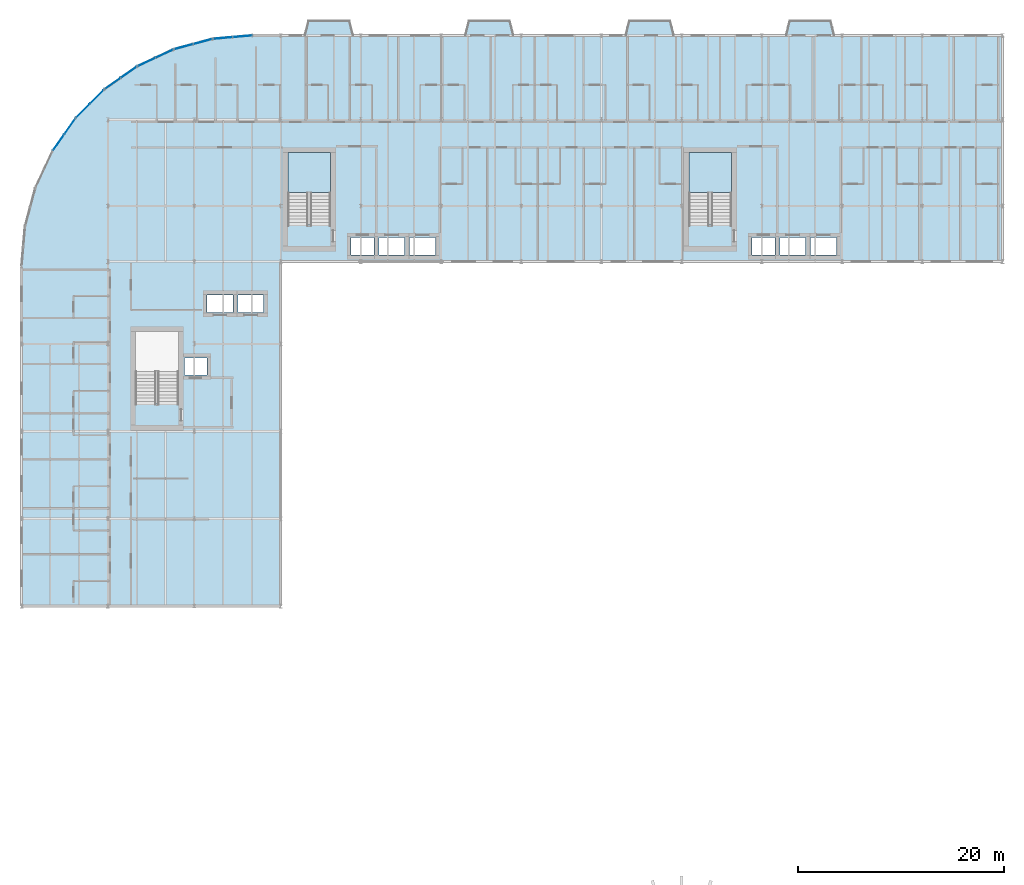
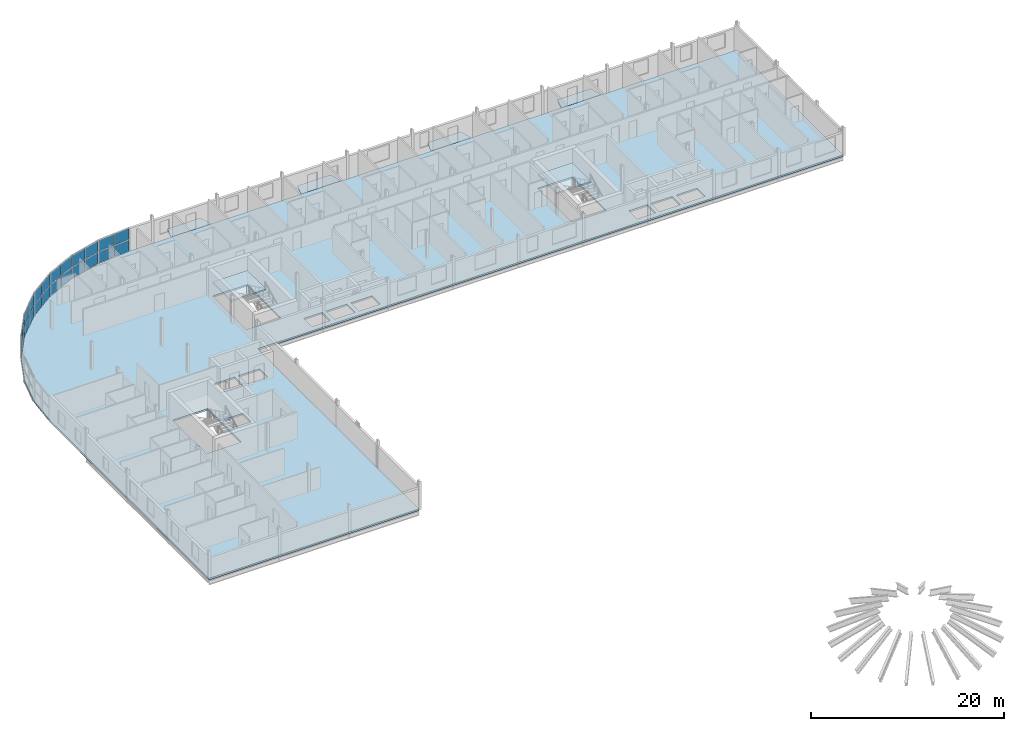
# One storey, part 11 of 25: 24 plates, 7 slabs, 8 elements without a shape of their own.
"""IFC4 building model written with IfcOpenShell, lengths in metres."""

from ifc_helpers import new_model, si_unit, direction, frame, origin, origin_2d, place, context, subcontext, project, spatial, polyline, rectangle, outline, extrude, material, layer, layer_set, type_object, element, aggregate, save


model = new_model("IFC4")

# Units and contexts
model_context = context("Model", 3, precision=1e-05, world=origin(), true_north=direction((0.0, 1.0)))
body_context = subcontext(model_context, "Body", "Model", "MODEL_VIEW")
ifc_project = project(units=[si_unit("LENGTHUNIT", "METRE"), si_unit("AREAUNIT", "SQUARE_METRE"), si_unit("VOLUMEUNIT", "CUBIC_METRE"), si_unit("PLANEANGLEUNIT", "RADIAN"), si_unit("MASSUNIT", "GRAM", prefix="KILO")], contexts=[model_context])

# Site, building, storey
site_placement = place(None, origin())
site = spatial("IfcSite", under=ifc_project, at=site_placement, CompositionType="ELEMENT")
building_placement = place(site_placement, origin())
building = spatial("IfcBuilding", under=site, at=building_placement, Name="Sefraquen Railside Congress Hotel", CompositionType="ELEMENT")
storey_placement = place(building_placement, frame((0.0, 0.0, 39.0)))
storey = spatial("IfcBuildingStorey", under=building, at=storey_placement, Name="L09", CompositionType="ELEMENT", Elevation=39.0)

# Curtain wall, plates
ifc_material_1 = material(Name="Thermally broken anodised aluminium and low-E double glazing", Category="aluminium")
ifc_layer_1 = layer(ifc_material_1, 0.199951171875)
ifc_layer_set_1 = layer_set([ifc_layer_1], Name="Thermally broken anodised aluminium and low-E double glazing")
curtain_wall_type_1 = type_object("IfcCurtainWallType", Name="TCW-UCW-18", PredefinedType="USERDEFINED", material=ifc_layer_set_1)
curtain_wall_1_placement = place(storey_placement, origin())
curtain_wall_1 = element("IfcCurtainWall", 1, at=curtain_wall_1_placement, inside=storey, type_object=curtain_wall_type_1, Name="Rotunda L09 curved curtain wall facet 1", ObjectType="UNITISED CURTAIN WALL", PredefinedType="USERDEFINED")
ifc_material_2 = material(Name="Solar-control low-E double glazing", Category="glass")
ifc_layer_2 = layer(ifc_material_2, 0.02392578125)
ifc_layer_set_2 = layer_set([ifc_layer_2], Name="Solar-control low-E double glazing")
plate_type_1 = type_object("IfcPlateType", Name="TP-CWP-01", PredefinedType="CURTAIN_PANEL", material=ifc_layer_set_2)
plate_1_placement = place(storey_placement, frame((21.50341796875, 117.912841796875, 0.0400390625), z_axis=(0.0, 0.0, 1.0), x_axis=(-0.996196219095, -0.087138355857, 0.0)))
plate_1 = element("IfcPlate", 2, at=plate_1_placement, type_object=plate_type_1, Name="CW-L09-ROT-01 panel 1.1", PredefinedType="CURTAIN_PANEL", context=body_context, shape_type="SweptSolid", body=[
    extrude(rectangle(XDim=1.8310546875, YDim=0.02392578125, at=origin_2d()), origin(), (0.0, 0.0, 1.0), 1.385009765625),
])
plate_2_placement = place(storey_placement, frame((19.589599609375, 117.745361328125, 0.0400390625), z_axis=(0.0, 0.0, 1.0), x_axis=(-0.996196219095, -0.087138355857, 0.0)))
plate_2 = element("IfcPlate", 3, at=plate_2_placement, type_object=plate_type_1, Name="CW-L09-ROT-01 panel 1.2", PredefinedType="CURTAIN_PANEL", context=body_context, shape_type="SweptSolid", body=[
    extrude(rectangle(XDim=1.8310546875, YDim=0.02392578125, at=origin_2d()), origin(), (0.0, 0.0, 1.0), 1.385009765625),
])

ifc_layer_3 = layer(ifc_material_1, 0.199951171875)
ifc_layer_set_3 = layer_set([ifc_layer_3], Name="Thermally broken anodised aluminium and low-E double glazing")
curtain_wall_type_2 = type_object("IfcCurtainWallType", Name="TCW-UCW-19", PredefinedType="USERDEFINED", material=ifc_layer_set_3)
curtain_wall_2_placement = place(storey_placement, origin())
curtain_wall_2 = element("IfcCurtainWall", 4, at=curtain_wall_2_placement, inside=storey, type_object=curtain_wall_type_2, Name="Rotunda L09 curved curtain wall facet 2", ObjectType="UNITISED CURTAIN WALL", PredefinedType="USERDEFINED")
plate_3_placement = place(storey_placement, frame((17.62646484375, 117.399169921875, 0.0400390625), z_axis=(0.0, 0.0, 1.0), x_axis=(-0.96593486019, -0.258785327773, 0.0)))
plate_3 = element("IfcPlate", 5, at=plate_3_placement, type_object=plate_type_1, Name="CW-L09-ROT-02 panel 1.1", PredefinedType="CURTAIN_PANEL", context=body_context, shape_type="SweptSolid", body=[
    extrude(rectangle(XDim=1.8310546875, YDim=0.02392578125, at=origin_2d()), origin(), (0.0, 0.0, 1.0), 1.385009765625),
])
plate_4_placement = place(storey_placement, frame((15.77099609375, 116.902099609375, 0.0400390625), z_axis=(0.0, 0.0, 1.0), x_axis=(-0.96593486019, -0.258785327773, 0.0)))
plate_4 = element("IfcPlate", 6, at=plate_4_placement, type_object=plate_type_1, Name="CW-L09-ROT-02 panel 1.2", PredefinedType="CURTAIN_PANEL", context=body_context, shape_type="SweptSolid", body=[
    extrude(rectangle(XDim=1.8310546875, YDim=0.02392578125, at=origin_2d()), origin(), (0.0, 0.0, 1.0), 1.385009765625),
])

ifc_layer_4 = layer(ifc_material_1, 0.199951171875)
ifc_layer_set_4 = layer_set([ifc_layer_4], Name="Thermally broken anodised aluminium and low-E double glazing")
curtain_wall_type_3 = type_object("IfcCurtainWallType", Name="TCW-UCW-20", PredefinedType="USERDEFINED", material=ifc_layer_set_4)
curtain_wall_3_placement = place(storey_placement, origin())
curtain_wall_3 = element("IfcCurtainWall", 7, at=curtain_wall_3_placement, inside=storey, type_object=curtain_wall_type_3, Name="Rotunda L09 curved curtain wall facet 3", ObjectType="UNITISED CURTAIN WALL", PredefinedType="USERDEFINED")
plate_5_placement = place(storey_placement, frame((13.897705078125, 116.22021484375, 0.0400390625), z_axis=(0.0, 0.0, 1.0), x_axis=(-0.906300410818, -0.422634079731, 0.0)))
plate_5 = element("IfcPlate", 8, at=plate_5_placement, type_object=plate_type_1, Name="CW-L09-ROT-03 panel 1.1", PredefinedType="CURTAIN_PANEL", context=body_context, shape_type="SweptSolid", body=[
    extrude(rectangle(XDim=1.830810546875, YDim=0.02392578125, at=origin_2d()), origin(), (0.0, 0.0, 1.0), 1.385009765625),
])
plate_6_placement = place(storey_placement, frame((12.15673828125, 115.408447265625, 0.0400390625), z_axis=(0.0, 0.0, 1.0), x_axis=(-0.906300410818, -0.422634079731, 0.0)))
plate_6 = element("IfcPlate", 9, at=plate_6_placement, type_object=plate_type_1, Name="CW-L09-ROT-03 panel 1.2", PredefinedType="CURTAIN_PANEL", context=body_context, shape_type="SweptSolid", body=[
    extrude(rectangle(XDim=1.830810546875, YDim=0.02392578125, at=origin_2d()), origin(), (0.0, 0.0, 1.0), 1.385009765625),
])

ifc_layer_5 = layer(ifc_material_1, 0.199951171875)
ifc_layer_set_5 = layer_set([ifc_layer_5], Name="Thermally broken anodised aluminium and low-E double glazing")
curtain_wall_type_4 = type_object("IfcCurtainWallType", Name="TCW-UCW-21", PredefinedType="USERDEFINED", material=ifc_layer_set_5)
curtain_wall_4_placement = place(storey_placement, origin())
curtain_wall_4 = element("IfcCurtainWall", 10, at=curtain_wall_4_placement, inside=storey, type_object=curtain_wall_type_4, Name="Rotunda L09 curved curtain wall facet 4", ObjectType="UNITISED CURTAIN WALL", PredefinedType="USERDEFINED")
plate_7_placement = place(storey_placement, frame((10.430419921875, 114.411865234375, 0.0400390625), z_axis=(0.0, 0.0, 1.0), x_axis=(-0.819132022195, -0.573605029802, 0.0)))
plate_7 = element("IfcPlate", 11, at=plate_7_placement, type_object=plate_type_1, Name="CW-L09-ROT-04 panel 1.1", PredefinedType="CURTAIN_PANEL", context=body_context, shape_type="SweptSolid", body=[
    extrude(rectangle(XDim=1.8310546875, YDim=0.02392578125, at=origin_2d()), origin(), (0.0, 0.0, 1.0), 1.385009765625),
])
plate_8_placement = place(storey_placement, frame((8.856689453125, 113.309814453125, 0.0400390625), z_axis=(0.0, 0.0, 1.0), x_axis=(-0.819132022195, -0.573605029802, 0.0)))
plate_8 = element("IfcPlate", 12, at=plate_8_placement, type_object=plate_type_1, Name="CW-L09-ROT-04 panel 1.2", PredefinedType="CURTAIN_PANEL", context=body_context, shape_type="SweptSolid", body=[
    extrude(rectangle(XDim=1.8310546875, YDim=0.02392578125, at=origin_2d()), origin(), (0.0, 0.0, 1.0), 1.385009765625),
])

ifc_layer_6 = layer(ifc_material_1, 0.199951171875)
ifc_layer_set_6 = layer_set([ifc_layer_6], Name="Thermally broken anodised aluminium and low-E double glazing")
curtain_wall_type_5 = type_object("IfcCurtainWallType", Name="TCW-UCW-22", PredefinedType="USERDEFINED", material=ifc_layer_set_6)
curtain_wall_5_placement = place(storey_placement, origin())
curtain_wall_5 = element("IfcCurtainWall", 13, at=curtain_wall_5_placement, inside=storey, type_object=curtain_wall_type_5, Name="Rotunda L09 curved curtain wall facet 5", ObjectType="UNITISED CURTAIN WALL", PredefinedType="USERDEFINED")
plate_9_placement = place(storey_placement, frame((7.329833984375, 112.028564453125, 0.0400390625), z_axis=(0.0, 0.0, 1.0), x_axis=(-0.707106781187, -0.707106781187, 0.0)))
plate_9 = element("IfcPlate", 14, at=plate_9_placement, type_object=plate_type_1, Name="CW-L09-ROT-05 panel 1.1", PredefinedType="CURTAIN_PANEL", context=body_context, shape_type="SweptSolid", body=[
    extrude(rectangle(XDim=1.8310546875, YDim=0.02392578125, at=origin_2d()), origin(), (0.0, 0.0, 1.0), 1.385009765625),
])
plate_10_placement = place(storey_placement, frame((5.971435546875, 110.670166015625, 0.0400390625), z_axis=(0.0, 0.0, 1.0), x_axis=(-0.707106781187, -0.707106781187, 0.0)))
plate_10 = element("IfcPlate", 15, at=plate_10_placement, type_object=plate_type_1, Name="CW-L09-ROT-05 panel 1.2", PredefinedType="CURTAIN_PANEL", context=body_context, shape_type="SweptSolid", body=[
    extrude(rectangle(XDim=1.8310546875, YDim=0.02392578125, at=origin_2d()), origin(), (0.0, 0.0, 1.0), 1.385009765625),
])

ifc_layer_7 = layer(ifc_material_1, 0.199951171875)
ifc_layer_set_7 = layer_set([ifc_layer_7], Name="Thermally broken anodised aluminium and low-E double glazing")
curtain_wall_type_6 = type_object("IfcCurtainWallType", Name="TCW-UCW-23", PredefinedType="USERDEFINED", material=ifc_layer_set_7)
curtain_wall_6_placement = place(storey_placement, origin())
curtain_wall_6 = element("IfcCurtainWall", 16, at=curtain_wall_6_placement, inside=storey, type_object=curtain_wall_type_6, Name="Rotunda L09 curved curtain wall facet 6", ObjectType="UNITISED CURTAIN WALL", PredefinedType="USERDEFINED")
plate_11_placement = place(storey_placement, frame((4.690185546875, 109.14306640625, 0.0400390625), z_axis=(0.0, 0.0, 1.0), x_axis=(-0.573605029802, -0.819132022195, 0.0)))
plate_11 = element("IfcPlate", 17, at=plate_11_placement, type_object=plate_type_1, Name="CW-L09-ROT-06 panel 1.1", PredefinedType="CURTAIN_PANEL", context=body_context, shape_type="SweptSolid", body=[
    extrude(rectangle(XDim=1.8310546875, YDim=0.02392578125, at=origin_2d()), origin(), (0.0, 0.0, 1.0), 1.385009765625),
])
plate_12_placement = place(storey_placement, frame((3.58837890625, 107.569580078125, 0.0400390625), z_axis=(0.0, 0.0, 1.0), x_axis=(-0.573605029802, -0.819132022195, 0.0)))
plate_12 = element("IfcPlate", 18, at=plate_12_placement, type_object=plate_type_1, Name="CW-L09-ROT-06 panel 1.2", PredefinedType="CURTAIN_PANEL", context=body_context, shape_type="SweptSolid", body=[
    extrude(rectangle(XDim=1.8310546875, YDim=0.02392578125, at=origin_2d()), origin(), (0.0, 0.0, 1.0), 1.385009765625),
])

# Plate
ifc_material_3 = material(Name="Triple acoustic solar-control glazing", Category="glass")
ifc_layer_8 = layer(ifc_material_3, 0.031982421875)
ifc_layer_set_8 = layer_set([ifc_layer_8], Name="Triple acoustic solar-control glazing")
plate_type_2 = type_object("IfcPlateType", Name="TP-CWP-02", PredefinedType="CURTAIN_PANEL", material=ifc_layer_set_8)
plate_13_placement = place(storey_placement, frame((21.50341796875, 117.912841796875, 1.5048828125), z_axis=(0.0, 0.0, 1.0), x_axis=(-0.996196219095, -0.087138355857, 0.0)))
plate_13 = element("IfcPlate", 19, at=plate_13_placement, type_object=plate_type_2, Name="CW-L09-ROT-01 panel 2.1", PredefinedType="CURTAIN_PANEL", context=body_context, shape_type="SweptSolid", body=[
    extrude(rectangle(XDim=1.8310546875, YDim=0.031982421875, at=origin_2d()), origin(), (0.0, 0.0, 1.0), 1.385009765625),
])

plate_14_placement = place(storey_placement, frame((19.589599609375, 117.745361328125, 1.5048828125), z_axis=(0.0, 0.0, 1.0), x_axis=(-0.996196219095, -0.087138355857, 0.0)))
plate_14 = element("IfcPlate", 20, at=plate_14_placement, type_object=plate_type_2, Name="CW-L09-ROT-01 panel 2.2", PredefinedType="CURTAIN_PANEL", context=body_context, shape_type="SweptSolid", body=[
    extrude(rectangle(XDim=1.8310546875, YDim=0.031982421875, at=origin_2d()), origin(), (0.0, 0.0, 1.0), 1.385009765625),
])

aggregate(curtain_wall_1, [plate_1, plate_2, plate_13, plate_14])

plate_15_placement = place(storey_placement, frame((17.62646484375, 117.399169921875, 1.5048828125), z_axis=(0.0, 0.0, 1.0), x_axis=(-0.96593486019, -0.258785327773, 0.0)))
plate_15 = element("IfcPlate", 21, at=plate_15_placement, type_object=plate_type_2, Name="CW-L09-ROT-02 panel 2.1", PredefinedType="CURTAIN_PANEL", context=body_context, shape_type="SweptSolid", body=[
    extrude(rectangle(XDim=1.8310546875, YDim=0.031982421875, at=origin_2d()), origin(), (0.0, 0.0, 1.0), 1.385009765625),
])

plate_16_placement = place(storey_placement, frame((15.77099609375, 116.902099609375, 1.5048828125), z_axis=(0.0, 0.0, 1.0), x_axis=(-0.96593486019, -0.258785327773, 0.0)))
plate_16 = element("IfcPlate", 22, at=plate_16_placement, type_object=plate_type_2, Name="CW-L09-ROT-02 panel 2.2", PredefinedType="CURTAIN_PANEL", context=body_context, shape_type="SweptSolid", body=[
    extrude(rectangle(XDim=1.8310546875, YDim=0.031982421875, at=origin_2d()), origin(), (0.0, 0.0, 1.0), 1.385009765625),
])

aggregate(curtain_wall_2, [plate_3, plate_4, plate_15, plate_16])

plate_17_placement = place(storey_placement, frame((13.897705078125, 116.22021484375, 1.5048828125), z_axis=(0.0, 0.0, 1.0), x_axis=(-0.906300410818, -0.422634079731, 0.0)))
plate_17 = element("IfcPlate", 23, at=plate_17_placement, type_object=plate_type_2, Name="CW-L09-ROT-03 panel 2.1", PredefinedType="CURTAIN_PANEL", context=body_context, shape_type="SweptSolid", body=[
    extrude(rectangle(XDim=1.830810546875, YDim=0.031982421875, at=origin_2d()), origin(), (0.0, 0.0, 1.0), 1.385009765625),
])

plate_18_placement = place(storey_placement, frame((12.15673828125, 115.408447265625, 1.5048828125), z_axis=(0.0, 0.0, 1.0), x_axis=(-0.906300410818, -0.422634079731, 0.0)))
plate_18 = element("IfcPlate", 24, at=plate_18_placement, type_object=plate_type_2, Name="CW-L09-ROT-03 panel 2.2", PredefinedType="CURTAIN_PANEL", context=body_context, shape_type="SweptSolid", body=[
    extrude(rectangle(XDim=1.830810546875, YDim=0.031982421875, at=origin_2d()), origin(), (0.0, 0.0, 1.0), 1.385009765625),
])

aggregate(curtain_wall_3, [plate_5, plate_6, plate_17, plate_18])

plate_19_placement = place(storey_placement, frame((10.430419921875, 114.411865234375, 1.5048828125), z_axis=(0.0, 0.0, 1.0), x_axis=(-0.819132022195, -0.573605029802, 0.0)))
plate_19 = element("IfcPlate", 25, at=plate_19_placement, type_object=plate_type_2, Name="CW-L09-ROT-04 panel 2.1", PredefinedType="CURTAIN_PANEL", context=body_context, shape_type="SweptSolid", body=[
    extrude(rectangle(XDim=1.8310546875, YDim=0.031982421875, at=origin_2d()), origin(), (0.0, 0.0, 1.0), 1.385009765625),
])

plate_20_placement = place(storey_placement, frame((8.856689453125, 113.309814453125, 1.5048828125), z_axis=(0.0, 0.0, 1.0), x_axis=(-0.819132022195, -0.573605029802, 0.0)))
plate_20 = element("IfcPlate", 26, at=plate_20_placement, type_object=plate_type_2, Name="CW-L09-ROT-04 panel 2.2", PredefinedType="CURTAIN_PANEL", context=body_context, shape_type="SweptSolid", body=[
    extrude(rectangle(XDim=1.8310546875, YDim=0.031982421875, at=origin_2d()), origin(), (0.0, 0.0, 1.0), 1.385009765625),
])

aggregate(curtain_wall_4, [plate_7, plate_8, plate_19, plate_20])

plate_21_placement = place(storey_placement, frame((7.329833984375, 112.028564453125, 1.5048828125), z_axis=(0.0, 0.0, 1.0), x_axis=(-0.707106781187, -0.707106781187, 0.0)))
plate_21 = element("IfcPlate", 27, at=plate_21_placement, type_object=plate_type_2, Name="CW-L09-ROT-05 panel 2.1", PredefinedType="CURTAIN_PANEL", context=body_context, shape_type="SweptSolid", body=[
    extrude(rectangle(XDim=1.8310546875, YDim=0.031982421875, at=origin_2d()), origin(), (0.0, 0.0, 1.0), 1.385009765625),
])

plate_22_placement = place(storey_placement, frame((5.971435546875, 110.670166015625, 1.5048828125), z_axis=(0.0, 0.0, 1.0), x_axis=(-0.707106781187, -0.707106781187, 0.0)))
plate_22 = element("IfcPlate", 28, at=plate_22_placement, type_object=plate_type_2, Name="CW-L09-ROT-05 panel 2.2", PredefinedType="CURTAIN_PANEL", context=body_context, shape_type="SweptSolid", body=[
    extrude(rectangle(XDim=1.8310546875, YDim=0.031982421875, at=origin_2d()), origin(), (0.0, 0.0, 1.0), 1.385009765625),
])

aggregate(curtain_wall_5, [plate_9, plate_10, plate_21, plate_22])

plate_23_placement = place(storey_placement, frame((4.690185546875, 109.14306640625, 1.5048828125), z_axis=(0.0, 0.0, 1.0), x_axis=(-0.573605029802, -0.819132022195, 0.0)))
plate_23 = element("IfcPlate", 29, at=plate_23_placement, type_object=plate_type_2, Name="CW-L09-ROT-06 panel 2.1", PredefinedType="CURTAIN_PANEL", context=body_context, shape_type="SweptSolid", body=[
    extrude(rectangle(XDim=1.8310546875, YDim=0.031982421875, at=origin_2d()), origin(), (0.0, 0.0, 1.0), 1.385009765625),
])

plate_24_placement = place(storey_placement, frame((3.58837890625, 107.569580078125, 1.5048828125), z_axis=(0.0, 0.0, 1.0), x_axis=(-0.573605029802, -0.819132022195, 0.0)))
plate_24 = element("IfcPlate", 30, at=plate_24_placement, type_object=plate_type_2, Name="CW-L09-ROT-06 panel 2.2", PredefinedType="CURTAIN_PANEL", context=body_context, shape_type="SweptSolid", body=[
    extrude(rectangle(XDim=1.8310546875, YDim=0.031982421875, at=origin_2d()), origin(), (0.0, 0.0, 1.0), 1.385009765625),
])

aggregate(curtain_wall_6, [plate_11, plate_12, plate_23, plate_24])

# Slabs
ifc_material_4 = material(Name="Concrete C40/50", Category="concrete")
ifc_layer_9 = layer(ifc_material_4, 0.179931640625)
ifc_layer_set_9 = layer_set([ifc_layer_9], Name="Concrete C40/50")
slab_type_1 = type_object("IfcSlabType", Name="TS-BL-180", PredefinedType="FLOOR", material=ifc_layer_set_9)
slab_1_placement = place(storey_placement, frame((0.0, 0.0, -0.179931640625)))
element("IfcSlab", 31, at=slab_1_placement, inside=storey, type_object=slab_type_1, Name="Hotel Art Nouveau balcony slab L09-01", PredefinedType="FLOOR", context=body_context, shape_type="SweptSolid", body=[
    extrude(outline(polyline([(27.5, 118.0), (32.300048828125, 118.0), (31.89990234375, 119.5), (27.89990234375, 119.5), (27.5, 118.0)])), origin(), (0.0, 0.0, 1.0), 0.179931640625),
])
slab_2_placement = place(storey_placement, frame((0.0, 0.0, -0.179931640625)))
element("IfcSlab", 32, at=slab_2_placement, inside=storey, type_object=slab_type_1, Name="Hotel Art Nouveau balcony slab L09-02", PredefinedType="FLOOR", context=body_context, shape_type="SweptSolid", body=[
    extrude(outline(polyline([(43.10009765625, 118.0), (47.89990234375, 118.0), (47.5, 119.5), (43.5, 119.5), (43.10009765625, 118.0)])), origin(), (0.0, 0.0, 1.0), 0.179931640625),
])
slab_3_placement = place(storey_placement, frame((0.0, 0.0, -0.179931640625)))
element("IfcSlab", 33, at=slab_3_placement, inside=storey, type_object=slab_type_1, Name="Hotel Art Nouveau balcony slab L09-03", PredefinedType="FLOOR", context=body_context, shape_type="SweptSolid", body=[
    extrude(outline(polyline([(58.699951171875, 118.0), (63.5, 118.0), (63.10009765625, 119.5), (59.10009765625, 119.5), (58.699951171875, 118.0)])), origin(), (0.0, 0.0, 1.0), 0.179931640625),
])
slab_4_placement = place(storey_placement, frame((0.0, 0.0, -0.179931640625)))
element("IfcSlab", 34, at=slab_4_placement, inside=storey, type_object=slab_type_1, Name="Hotel Art Nouveau balcony slab L09-04", PredefinedType="FLOOR", context=body_context, shape_type="SweptSolid", body=[
    extrude(outline(polyline([(74.300048828125, 118.0), (79.10009765625, 118.0), (78.699951171875, 119.5), (74.699951171875, 119.5), (74.300048828125, 118.0)])), origin(), (0.0, 0.0, 1.0), 0.179931640625),
])
ifc_layer_10 = layer(ifc_material_4, 0.219970703125)
ifc_layer_set_10 = layer_set([ifc_layer_10], Name="Concrete C40/50")
slab_type_2 = type_object("IfcSlabType", Name="TS-FS-220", PredefinedType="FLOOR", material=ifc_layer_set_10)
slab_5_placement = place(storey_placement, frame((0.0, 0.0, -0.219970703125)))
element("IfcSlab", 35, at=slab_5_placement, inside=storey, type_object=slab_type_2, Name="Hotel Wing L09 floor slab", PredefinedType="FLOOR", context=body_context, shape_type="SweptSolid", body=[
    extrude(outline(polyline([(0.0, 62.5), (25.199951171875, 62.5), (25.199951171875, 96.0), (95.39990234375, 96.0), (95.39990234375, 118.0), (22.5, 118.0), (18.593017578125, 117.658203125), (14.804443359375, 116.64306640625), (11.25, 114.985595703125), (8.037353515625, 112.736083984375), (5.263916015625, 109.962646484375), (3.014404296875, 106.75), (1.35693359375, 103.195556640625), (0.341796875, 99.406982421875), (0.0, 95.5), (0.0, 62.5)]), holes=[polyline([(11.10009765625, 82.219970703125), (15.260009765625, 82.219970703125), (15.260009765625, 89.2119140625), (11.10009765625, 89.2119140625), (11.10009765625, 82.219970703125)]), polyline([(25.89990234375, 99.6201171875), (30.06005859375, 99.6201171875), (30.06005859375, 106.612060546875), (25.89990234375, 106.612060546875), (25.89990234375, 99.6201171875)]), polyline([(64.89990234375, 99.6201171875), (69.06005859375, 99.6201171875), (69.06005859375, 106.612060546875), (64.89990234375, 106.612060546875), (64.89990234375, 99.6201171875)]), polyline([(15.830078125, 84.949951171875), (18.030029296875, 84.949951171875), (18.030029296875, 86.64990234375), (15.830078125, 86.64990234375), (15.830078125, 84.949951171875)]), polyline([(32.06005859375, 96.64990234375), (34.260009765625, 96.64990234375), (34.260009765625, 98.35009765625), (32.06005859375, 98.35009765625), (32.06005859375, 96.64990234375)]), polyline([(71.06005859375, 96.64990234375), (73.260009765625, 96.64990234375), (73.260009765625, 98.35009765625), (71.06005859375, 98.35009765625), (71.06005859375, 96.64990234375)]), polyline([(18.050048828125, 91.050048828125), (20.550048828125, 91.050048828125), (20.550048828125, 92.75), (18.050048828125, 92.75), (18.050048828125, 91.050048828125)]), polyline([(21.0400390625, 91.050048828125), (23.5400390625, 91.050048828125), (23.5400390625, 92.75), (21.0400390625, 92.75), (21.0400390625, 91.050048828125)]), polyline([(34.75, 96.64990234375), (37.25, 96.64990234375), (37.25, 98.35009765625), (34.75, 98.35009765625), (34.75, 96.64990234375)]), polyline([(37.739990234375, 96.64990234375), (40.239990234375, 96.64990234375), (40.239990234375, 98.35009765625), (37.739990234375, 98.35009765625), (37.739990234375, 96.64990234375)]), polyline([(73.75, 96.64990234375), (76.25, 96.64990234375), (76.25, 98.35009765625), (73.75, 98.35009765625), (73.75, 96.64990234375)]), polyline([(76.739990234375, 96.64990234375), (79.239990234375, 96.64990234375), (79.239990234375, 98.35009765625), (76.739990234375, 98.35009765625), (76.739990234375, 96.64990234375)])]), origin(), (0.0, 0.0, 1.0), 0.219970703125),
])

# Stair, slab
stair_type_1 = type_object("IfcStairType", Name="TST-DOG-198-420", PredefinedType="HALF_TURN_STAIR", material=ifc_material_4)
stair_1_placement = place(storey_placement, origin())
stair_1 = element("IfcStair", 36, at=stair_1_placement, inside=storey, type_object=stair_type_1, Name="L09 Pressurized escape stair ST-H02", PredefinedType="HALF_TURN_STAIR")
ifc_layer_11 = layer(ifc_material_4, 0.199951171875)
ifc_layer_set_11 = layer_set([ifc_layer_11], Name="Concrete C40/50")
slab_type_3 = type_object("IfcSlabType", Name="TS-LD-200", PredefinedType="LANDING", material=ifc_layer_set_11)
slab_6_placement = place(storey_placement, frame((0.0, 0.0, 1.60009765625)))
slab_6 = element("IfcSlab", 37, at=slab_6_placement, type_object=slab_type_3, Name="ST-H02 landing 1", PredefinedType="LANDING", context=body_context, shape_type="SweptSolid", body=[
    extrude(outline(polyline([(30.06005859375, 102.699951171875), (30.06005859375, 106.612060546875), (25.89990234375, 106.612060546875), (25.89990234375, 102.699951171875), (30.06005859375, 102.699951171875)])), origin(), (0.0, 0.0, 1.0), 0.199951171875),
])
aggregate(stair_1, [slab_6])

stair_type_2 = type_object("IfcStairType", Name="TST-DOG-198-450", PredefinedType="HALF_TURN_STAIR", material=ifc_material_4)
stair_2_placement = place(storey_placement, origin())
stair_2 = element("IfcStair", 38, at=stair_2_placement, inside=storey, type_object=stair_type_2, Name="L09 Pressurized escape stair ST-H03", PredefinedType="HALF_TURN_STAIR")
slab_7_placement = place(storey_placement, frame((0.0, 0.0, 1.60009765625)))
slab_7 = element("IfcSlab", 39, at=slab_7_placement, type_object=slab_type_3, Name="ST-H03 landing 1", PredefinedType="LANDING", context=body_context, shape_type="SweptSolid", body=[
    extrude(outline(polyline([(69.06005859375, 102.699951171875), (69.06005859375, 106.612060546875), (64.89990234375, 106.612060546875), (64.89990234375, 102.699951171875), (69.06005859375, 102.699951171875)])), origin(), (0.0, 0.0, 1.0), 0.199951171875),
])
aggregate(stair_2, [slab_7])

save(model, "model.ifc")
